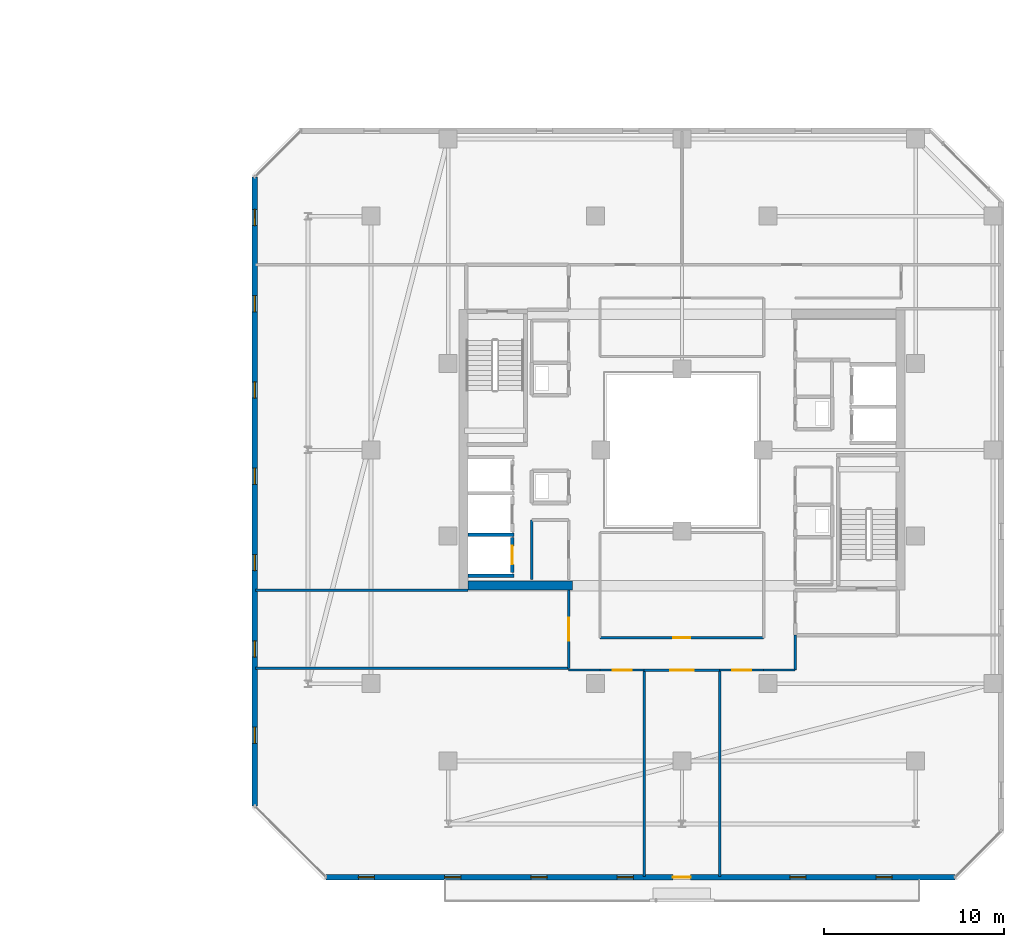
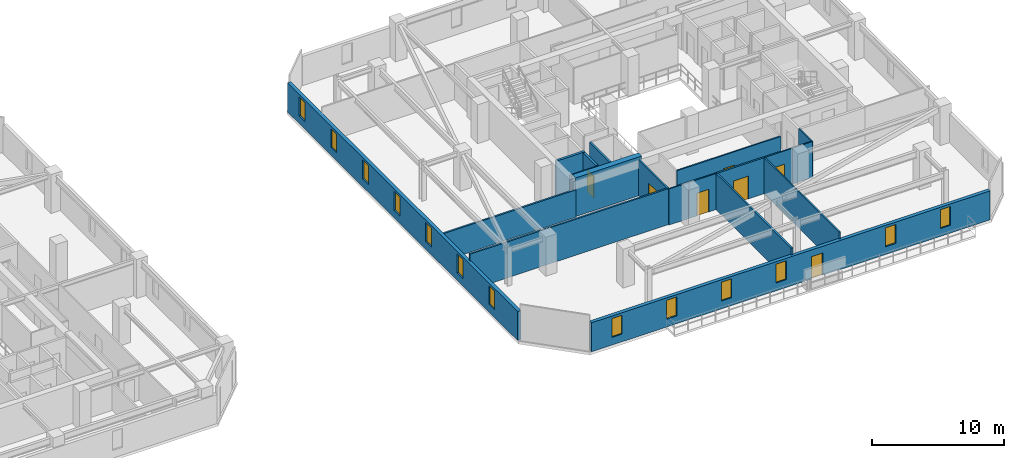
# One storey, part 23 of 33: 19 walls, 13 windows, 7 doors, 20 openings.
"""IFC4 building model written with IfcOpenShell, lengths in metres."""

from ifc_helpers import new_model, si_unit, direction, frame, frame_2d, origin, place, context, subcontext, project, spatial, rectangle, extrude, material, layer, layer_set, type_object, element, fill, save


model = new_model("IFC4")

# Units and contexts
model_context = context("Model", 3, precision=1e-05, world=origin(), true_north=direction((0.0, 1.0)))
body_context = subcontext(model_context, "Body", "Model", "MODEL_VIEW")
ifc_project = project(units=[si_unit("LENGTHUNIT", "METRE"), si_unit("AREAUNIT", "SQUARE_METRE"), si_unit("VOLUMEUNIT", "CUBIC_METRE"), si_unit("PLANEANGLEUNIT", "RADIAN"), si_unit("MASSUNIT", "GRAM", prefix="KILO")], contexts=[model_context])

# Site, building, storey
site_placement = place(None, origin())
site = spatial("IfcSite", under=ifc_project, at=site_placement, CompositionType="ELEMENT")
building_placement = place(site_placement, origin())
building = spatial("IfcBuilding", under=site, at=building_placement, Name="Thornwick Lancets Civic Towers", CompositionType="ELEMENT")
storey_placement = place(building_placement, frame((0.0, 0.0, 203.699951171875)))
storey = spatial("IfcBuildingStorey", under=building, at=storey_placement, Name="L54", CompositionType="ELEMENT", Elevation=203.699951171875)

# Wall, opening, door
ifc_material_1 = material(Name="Concrete blockwork C40/50", Category="masonry")
ifc_layer_1 = layer(ifc_material_1, 0.199951171875, Name="Concrete blockwork C40/50")
ifc_layer_set_1 = layer_set([ifc_layer_1], Name="Concrete blockwork C40/50")
wall_type_1 = type_object("IfcWallType", Name="WALL_COMP_200", PredefinedType="STANDARD", material=ifc_layer_set_1)
wall_1_placement = place(storey_placement, frame((79.050048828125, 20.179931640625, 0.0), z_axis=(0.0, 0.0, 1.0), x_axis=(0.0, 1.0, 0.0)))
wall_1 = element("IfcWall", 1, at=wall_1_placement, inside=storey, type_object=wall_type_1, Name="L54 Hoistway Front Wall PL-BH3", PredefinedType="STANDARD", context=body_context, shape_type="SweptSolid", body=[
    extrude(rectangle(XDim=1.940185546875, YDim=0.199951171875, at=frame_2d((0.97021484375, 0.0))), origin(), (0.0, 0.0, 1.0), 3.340087890625),
])
opening_1_placement = place(wall_1_placement, frame((0.4599609375, 0.0, 0.0)))
opening_1 = element("IfcOpeningElement", 2, at=opening_1_placement, cuts=wall_1, Name="Opening LD-PL-BH3", PredefinedType="OPENING", context=body_context, shape_type="SweptSolid", body=[
    extrude(rectangle(XDim=1.02001953125, YDim=2.06005859375, at=frame_2d((0.510009765625, 1.030029296875))), frame((0.0, 0.10986328125, 0.0), z_axis=(0.0, -1.0, 0.0), x_axis=(1.0, 0.0, 0.0)), (0.0, 0.0, 1.0), 0.219970703125),
])
ifc_material_2 = material(Name="Brushed bronze stainless steel", Category="steel")
door_type_1 = type_object("IfcDoorType", Name="DOOR_LIFT_SLIDE", OperationType="SLIDING_TO_LEFT", PredefinedType="DOOR", material=ifc_material_2)
door_1_placement = place(opening_1_placement, origin())
door_1 = element("IfcDoor", 3, at=door_1_placement, inside=storey, type_object=door_type_1, Name="L54 Sliding Lift Landing Door LD-PL-BH3", OperationType="SLIDING_TO_LEFT", OverallHeight=2.06005859375, OverallWidth=1.02001953125, PredefinedType="DOOR", context=body_context, shape_type="SweptSolid", body=[
    extrude(rectangle(XDim=1.02001953125, YDim=2.06005859375, at=frame_2d((0.510009765625, 1.030029296875))), frame((0.0, 0.02490234375, 0.0), z_axis=(0.0, -1.0, 0.0), x_axis=(1.0, 0.0, 0.0)), (0.0, 0.0, 1.0), 0.050048828125),
])
fill(opening_1, door_1)

# Walls
for number, where, z_axis, x_axis, name in (
    (4, (76.612060546875, 22.27490234375, 0.0), (0.0, 0.0, 1.0), (1.0, 0.0, 0.0), "L54 Hoistway Shaft Wall PL-BH2 S"),
    (5, (76.612060546875, 20.0, 0.0), (0.0, 0.0, 1.0), (1.0, 0.0, 0.0), "L54 Hoistway Shaft Wall PL-BH3 S"),
):
    element("IfcWall", number, at=place(storey_placement, frame(where, z_axis=z_axis, x_axis=x_axis)), inside=storey, type_object=wall_type_1, Name=name, PredefinedType="STANDARD", context=body_context, shape_type="SweptSolid", body=[
        extrude(rectangle(XDim=2.535888671875, YDim=0.199951171875, at=frame_2d((1.26806640625, 0.0))), origin(), (0.0, 0.0, 1.0), 3.340087890625),
    ])
ifc_material_3 = material(Name="Concrete C50/60", Category="concrete")
ifc_layer_2 = layer(ifc_material_3, 0.5, Name="Concrete C50/60")
ifc_layer_set_2 = layer_set([ifc_layer_2], Name="Concrete C50/60")
wall_type_2 = type_object("IfcWallType", Name="WALL_CORE_500", PredefinedType="SHEAR", material=ifc_layer_set_2)
wall_2_placement = place(storey_placement, frame((76.60009765625, 19.449951171875, 0.0), z_axis=(0.0, 0.0, 1.0), x_axis=(1.0, 0.0, 0.0)))
element("IfcWall", 6, at=wall_2_placement, inside=storey, type_object=wall_type_2, Name="L54 Split Core B2 Shear Wall S", PredefinedType="SHEAR", context=body_context, shape_type="SweptSolid", body=[
    extrude(rectangle(XDim=5.7998046875, YDim=0.5, at=frame_2d((2.89990234375, 0.0))), origin(), (0.0, 0.0, 1.0), 3.60009765625),
])

# Wall, openings, door, windows
ifc_material_4 = material(Name="Insulated russet terracotta rainscreen on concrete C40/50", Category="masonry")
ifc_layer_3 = layer(ifc_material_4, 0.300048828125, Name="Insulated russet terracotta rainscreen on concrete C40/50")
ifc_layer_set_3 = layer_set([ifc_layer_3], Name="Insulated russet terracotta rainscreen on concrete C40/50")
wall_type_3 = type_object("IfcWallType", Name="WALL_EXT_RUSSET_300", PredefinedType="STANDARD", material=ifc_layer_set_3)
wall_3_placement = place(storey_placement, frame((68.6982421875, 3.239990234375, 0.0), z_axis=(0.0, 0.0, 1.0), x_axis=(0.999999991209, -0.000132597301, 0.0)))
wall_3 = element("IfcWall", 7, at=wall_3_placement, inside=storey, type_object=wall_type_3, Name="L54 Tower B Terracotta Facade Wall E0", PredefinedType="STANDARD", context=body_context, shape_type="SweptSolid", body=[
    extrude(rectangle(XDim=34.983154296875, YDim=0.300048828125, at=frame_2d((17.49169921875, 0.0))), origin(), (0.0, 0.0, 1.0), 2.699951171875),
])
opening_2_placement = place(wall_3_placement, frame((19.29150390625, 0.0, 0.0)))
opening_2 = element("IfcOpeningElement", 8, at=opening_2_placement, cuts=wall_3, Name="Opening D-BL-L54-BS", PredefinedType="OPENING", context=body_context, shape_type="SweptSolid", body=[
    extrude(rectangle(XDim=1.0, YDim=2.080078125, at=frame_2d((0.5, 1.0400390625))), frame((0.0, 0.16015625, 0.0), z_axis=(0.0, -1.0, 0.0), x_axis=(1.0, 0.0, 0.0)), (0.0, 0.0, 1.0), 0.320068359375),
])
opening_3_placement = place(wall_3_placement, frame((1.800048828125, 0.0, 0.719970703125)))
opening_3 = element("IfcOpeningElement", 9, at=opening_3_placement, cuts=wall_3, Name="Opening WL-01", PredefinedType="OPENING", context=body_context, shape_type="SweptSolid", body=[
    extrude(rectangle(XDim=0.89990234375, YDim=1.75, at=frame_2d((0.449951171875, 0.875))), frame((0.0, 0.16015625, 0.0), z_axis=(0.0, -1.0, 0.0), x_axis=(1.0, 0.0, 0.0)), (0.0, 0.0, 1.0), 0.320068359375),
])
opening_4_placement = place(wall_3_placement, frame((6.60009765625, 0.0, 0.719970703125)))
opening_4 = element("IfcOpeningElement", 10, at=opening_4_placement, cuts=wall_3, Name="Opening WL-01", PredefinedType="OPENING", context=body_context, shape_type="SweptSolid", body=[
    extrude(rectangle(XDim=0.89990234375, YDim=1.75, at=frame_2d((0.449951171875, 0.875))), frame((0.0, 0.16015625, 0.0), z_axis=(0.0, -1.0, 0.0), x_axis=(1.0, 0.0, 0.0)), (0.0, 0.0, 1.0), 0.320068359375),
])
opening_5_placement = place(wall_3_placement, frame((11.39990234375, 0.0, 0.719970703125)))
opening_5 = element("IfcOpeningElement", 11, at=opening_5_placement, cuts=wall_3, Name="Opening WL-01", PredefinedType="OPENING", context=body_context, shape_type="SweptSolid", body=[
    extrude(rectangle(XDim=0.89990234375, YDim=1.75, at=frame_2d((0.449951171875, 0.875))), frame((0.0, 0.16015625, 0.0), z_axis=(0.0, -1.0, 0.0), x_axis=(1.0, 0.0, 0.0)), (0.0, 0.0, 1.0), 0.320068359375),
])
opening_6_placement = place(wall_3_placement, frame((16.199951171875, 0.0, 0.719970703125)))
opening_6 = element("IfcOpeningElement", 12, at=opening_6_placement, cuts=wall_3, Name="Opening WL-01", PredefinedType="OPENING", context=body_context, shape_type="SweptSolid", body=[
    extrude(rectangle(XDim=0.89990234375, YDim=1.75, at=frame_2d((0.449951171875, 0.875))), frame((0.0, 0.16015625, 0.0), z_axis=(0.0, -1.0, 0.0), x_axis=(1.0, 0.0, 0.0)), (0.0, 0.0, 1.0), 0.320068359375),
])
opening_7_placement = place(wall_3_placement, frame((25.800048828125, 0.0, 0.719970703125)))
opening_7 = element("IfcOpeningElement", 13, at=opening_7_placement, cuts=wall_3, Name="Opening WL-01", PredefinedType="OPENING", context=body_context, shape_type="SweptSolid", body=[
    extrude(rectangle(XDim=0.89990234375, YDim=1.75, at=frame_2d((0.449951171875, 0.875))), frame((0.0, 0.16015625, 0.0), z_axis=(0.0, -1.0, 0.0), x_axis=(1.0, 0.0, 0.0)), (0.0, 0.0, 1.0), 0.320068359375),
])
opening_8_placement = place(wall_3_placement, frame((30.60009765625, 0.0, 0.719970703125)))
opening_8 = element("IfcOpeningElement", 14, at=opening_8_placement, cuts=wall_3, Name="Opening WL-01", PredefinedType="OPENING", context=body_context, shape_type="SweptSolid", body=[
    extrude(rectangle(XDim=0.89990234375, YDim=1.75, at=frame_2d((0.449951171875, 0.875))), frame((0.0, 0.16015625, 0.0), z_axis=(0.0, -1.0, 0.0), x_axis=(1.0, 0.0, 0.0)), (0.0, 0.0, 1.0), 0.320068359375),
])
ifc_material_5 = material(Name="Thermally broken glazed loggia doorset")
door_type_2 = type_object("IfcDoorType", Name="DOOR_BALC_1000", OperationType="NOTDEFINED", PredefinedType="DOOR", material=ifc_material_5)
door_2_placement = place(opening_2_placement, origin())
door_2 = element("IfcDoor", 15, at=door_2_placement, inside=storey, type_object=door_type_2, Name="L54 Tower B Loggia Balcony Door S", OperationType="SINGLE_SWING_LEFT", OverallHeight=2.080078125, OverallWidth=1.0, PredefinedType="DOOR", context=body_context, shape_type="SweptSolid", body=[
    extrude(rectangle(XDim=1.0, YDim=2.080078125, at=frame_2d((0.5, 1.0400390625))), frame((0.0, 0.02490234375, 0.0), z_axis=(0.0, -1.0, 0.0), x_axis=(1.0, 0.0, 0.0)), (0.0, 0.0, 1.0), 0.050048828125),
])
fill(opening_2, door_2)
ifc_material_6 = material(Name="Clear low-e double glazing in bronze frame", Category="glass")
window_type = type_object("IfcWindowType", Name="WIN_LANCET_900", PartitioningType="SINGLE_PANEL", PredefinedType="WINDOW", material=ifc_material_6)
window_1_placement = place(opening_3_placement, origin())
window_1 = element("IfcWindow", 16, at=window_1_placement, inside=storey, type_object=window_type, Name="L54 Tower B Staggered Lancet Window E0-1", OverallHeight=1.75, OverallWidth=0.89990234375, PartitioningType="SINGLE_PANEL", PredefinedType="WINDOW", context=body_context, shape_type="SweptSolid", body=[
    extrude(rectangle(XDim=0.89990234375, YDim=1.75, at=frame_2d((0.449951171875, 0.875))), frame((0.0, 0.030029296875, 0.0), z_axis=(0.0, -1.0, 0.0), x_axis=(1.0, 0.0, 0.0)), (0.0, 0.0, 1.0), 0.06005859375),
])
fill(opening_3, window_1)
window_2_placement = place(opening_4_placement, origin())
window_2 = element("IfcWindow", 17, at=window_2_placement, inside=storey, type_object=window_type, Name="L54 Tower B Staggered Lancet Window E0-2", OverallHeight=1.75, OverallWidth=0.89990234375, PartitioningType="SINGLE_PANEL", PredefinedType="WINDOW", context=body_context, shape_type="SweptSolid", body=[
    extrude(rectangle(XDim=0.89990234375, YDim=1.75, at=frame_2d((0.449951171875, 0.875))), frame((0.0, 0.030029296875, 0.0), z_axis=(0.0, -1.0, 0.0), x_axis=(1.0, 0.0, 0.0)), (0.0, 0.0, 1.0), 0.06005859375),
])
fill(opening_4, window_2)
window_3_placement = place(opening_5_placement, origin())
window_3 = element("IfcWindow", 18, at=window_3_placement, inside=storey, type_object=window_type, Name="L54 Tower B Staggered Lancet Window E0-3", OverallHeight=1.75, OverallWidth=0.89990234375, PartitioningType="SINGLE_PANEL", PredefinedType="WINDOW", context=body_context, shape_type="SweptSolid", body=[
    extrude(rectangle(XDim=0.89990234375, YDim=1.75, at=frame_2d((0.449951171875, 0.875))), frame((0.0, 0.030029296875, 0.0), z_axis=(0.0, -1.0, 0.0), x_axis=(1.0, 0.0, 0.0)), (0.0, 0.0, 1.0), 0.06005859375),
])
fill(opening_5, window_3)
window_4_placement = place(opening_6_placement, origin())
window_4 = element("IfcWindow", 19, at=window_4_placement, inside=storey, type_object=window_type, Name="L54 Tower B Staggered Lancet Window E0-4", OverallHeight=1.75, OverallWidth=0.89990234375, PartitioningType="SINGLE_PANEL", PredefinedType="WINDOW", context=body_context, shape_type="SweptSolid", body=[
    extrude(rectangle(XDim=0.89990234375, YDim=1.75, at=frame_2d((0.449951171875, 0.875))), frame((0.0, 0.030029296875, 0.0), z_axis=(0.0, -1.0, 0.0), x_axis=(1.0, 0.0, 0.0)), (0.0, 0.0, 1.0), 0.06005859375),
])
fill(opening_6, window_4)
window_5_placement = place(opening_7_placement, origin())
window_5 = element("IfcWindow", 20, at=window_5_placement, inside=storey, type_object=window_type, Name="L54 Tower B Staggered Lancet Window E0-5", OverallHeight=1.75, OverallWidth=0.89990234375, PartitioningType="SINGLE_PANEL", PredefinedType="WINDOW", context=body_context, shape_type="SweptSolid", body=[
    extrude(rectangle(XDim=0.89990234375, YDim=1.75, at=frame_2d((0.449951171875, 0.875))), frame((0.0, 0.030029296875, 0.0), z_axis=(0.0, -1.0, 0.0), x_axis=(1.0, 0.0, 0.0)), (0.0, 0.0, 1.0), 0.06005859375),
])
fill(opening_7, window_5)
window_6_placement = place(opening_8_placement, origin())
window_6 = element("IfcWindow", 21, at=window_6_placement, inside=storey, type_object=window_type, Name="L54 Tower B Staggered Lancet Window E0-6", OverallHeight=1.75, OverallWidth=0.89990234375, PartitioningType="SINGLE_PANEL", PredefinedType="WINDOW", context=body_context, shape_type="SweptSolid", body=[
    extrude(rectangle(XDim=0.89990234375, YDim=1.75, at=frame_2d((0.449951171875, 0.875))), frame((0.0, 0.030029296875, 0.0), z_axis=(0.0, -1.0, 0.0), x_axis=(1.0, 0.0, 0.0)), (0.0, 0.0, 1.0), 0.06005859375),
])
fill(opening_8, window_6)

# Wall, openings, windows
wall_4_placement = place(storey_placement, frame((64.7353515625, 42.181396484375, 0.0), z_axis=(0.0, 0.0, 1.0), x_axis=(0.000132597301, -0.999999991209, 0.0)))
wall_4 = element("IfcWall", 22, at=wall_4_placement, inside=storey, type_object=wall_type_3, Name="L54 Tower B Terracotta Facade Wall E6", PredefinedType="STANDARD", context=body_context, shape_type="SweptSolid", body=[
    extrude(rectangle(XDim=34.983154296875, YDim=0.300048828125, at=frame_2d((17.49169921875, 0.0))), origin(), (0.0, 0.0, 1.0), 2.699951171875),
])
opening_9_placement = place(wall_4_placement, frame((1.800048828125, 0.0, 0.719970703125)))
opening_9 = element("IfcOpeningElement", 23, at=opening_9_placement, cuts=wall_4, Name="Opening WL-01", PredefinedType="OPENING", context=body_context, shape_type="SweptSolid", body=[
    extrude(rectangle(XDim=0.89990234375, YDim=1.75, at=frame_2d((0.449951171875, 0.875))), frame((0.0, 0.16015625, 0.0), z_axis=(0.0, -1.0, 0.0), x_axis=(1.0, 0.0, 0.0)), (0.0, 0.0, 1.0), 0.320068359375),
])
opening_10_placement = place(wall_4_placement, frame((6.60009765625, 0.0, 0.719970703125)))
opening_10 = element("IfcOpeningElement", 24, at=opening_10_placement, cuts=wall_4, Name="Opening WL-01", PredefinedType="OPENING", context=body_context, shape_type="SweptSolid", body=[
    extrude(rectangle(XDim=0.89990234375, YDim=1.75, at=frame_2d((0.449951171875, 0.875))), frame((0.0, 0.16015625, 0.0), z_axis=(0.0, -1.0, 0.0), x_axis=(1.0, 0.0, 0.0)), (0.0, 0.0, 1.0), 0.320068359375),
])
opening_11_placement = place(wall_4_placement, frame((11.39990234375, 0.0, 0.719970703125)))
opening_11 = element("IfcOpeningElement", 25, at=opening_11_placement, cuts=wall_4, Name="Opening WL-01", PredefinedType="OPENING", context=body_context, shape_type="SweptSolid", body=[
    extrude(rectangle(XDim=0.89990234375, YDim=1.75, at=frame_2d((0.449951171875, 0.875))), frame((0.0, 0.16015625, 0.0), z_axis=(0.0, -1.0, 0.0), x_axis=(1.0, 0.0, 0.0)), (0.0, 0.0, 1.0), 0.320068359375),
])
opening_12_placement = place(wall_4_placement, frame((16.199951171875, 0.0, 0.719970703125)))
opening_12 = element("IfcOpeningElement", 26, at=opening_12_placement, cuts=wall_4, Name="Opening WL-01", PredefinedType="OPENING", context=body_context, shape_type="SweptSolid", body=[
    extrude(rectangle(XDim=0.89990234375, YDim=1.75, at=frame_2d((0.449951171875, 0.875))), frame((0.0, 0.16015625, 0.0), z_axis=(0.0, -1.0, 0.0), x_axis=(1.0, 0.0, 0.0)), (0.0, 0.0, 1.0), 0.320068359375),
])
opening_13_placement = place(wall_4_placement, frame((21.0, 0.0, 0.719970703125)))
opening_13 = element("IfcOpeningElement", 27, at=opening_13_placement, cuts=wall_4, Name="Opening WL-01", PredefinedType="OPENING", context=body_context, shape_type="SweptSolid", body=[
    extrude(rectangle(XDim=0.89990234375, YDim=1.75, at=frame_2d((0.449951171875, 0.875))), frame((0.0, 0.16015625, 0.0), z_axis=(0.0, -1.0, 0.0), x_axis=(1.0, 0.0, 0.0)), (0.0, 0.0, 1.0), 0.320068359375),
])
opening_14_placement = place(wall_4_placement, frame((25.800048828125, 0.0, 0.719970703125)))
opening_14 = element("IfcOpeningElement", 28, at=opening_14_placement, cuts=wall_4, Name="Opening WL-01", PredefinedType="OPENING", context=body_context, shape_type="SweptSolid", body=[
    extrude(rectangle(XDim=0.89990234375, YDim=1.75, at=frame_2d((0.449951171875, 0.875))), frame((0.0, 0.16015625, 0.0), z_axis=(0.0, -1.0, 0.0), x_axis=(1.0, 0.0, 0.0)), (0.0, 0.0, 1.0), 0.320068359375),
])
opening_15_placement = place(wall_4_placement, frame((30.60009765625, 0.0, 0.719970703125)))
opening_15 = element("IfcOpeningElement", 29, at=opening_15_placement, cuts=wall_4, Name="Opening WL-01", PredefinedType="OPENING", context=body_context, shape_type="SweptSolid", body=[
    extrude(rectangle(XDim=0.89990234375, YDim=1.75, at=frame_2d((0.449951171875, 0.875))), frame((0.0, 0.16015625, 0.0), z_axis=(0.0, -1.0, 0.0), x_axis=(1.0, 0.0, 0.0)), (0.0, 0.0, 1.0), 0.320068359375),
])
window_7_placement = place(opening_9_placement, origin())
window_7 = element("IfcWindow", 30, at=window_7_placement, inside=storey, type_object=window_type, Name="L54 Tower B Staggered Lancet Window E6-1", OverallHeight=1.75, OverallWidth=0.89990234375, PartitioningType="SINGLE_PANEL", PredefinedType="WINDOW", context=body_context, shape_type="SweptSolid", body=[
    extrude(rectangle(XDim=0.89990234375, YDim=1.75, at=frame_2d((0.449951171875, 0.875))), frame((0.0, 0.030029296875, 0.0), z_axis=(0.0, -1.0, 0.0), x_axis=(1.0, 0.0, 0.0)), (0.0, 0.0, 1.0), 0.06005859375),
])
fill(opening_9, window_7)
window_8_placement = place(opening_10_placement, origin())
window_8 = element("IfcWindow", 31, at=window_8_placement, inside=storey, type_object=window_type, Name="L54 Tower B Staggered Lancet Window E6-2", OverallHeight=1.75, OverallWidth=0.89990234375, PartitioningType="SINGLE_PANEL", PredefinedType="WINDOW", context=body_context, shape_type="SweptSolid", body=[
    extrude(rectangle(XDim=0.89990234375, YDim=1.75, at=frame_2d((0.449951171875, 0.875))), frame((0.0, 0.030029296875, 0.0), z_axis=(0.0, -1.0, 0.0), x_axis=(1.0, 0.0, 0.0)), (0.0, 0.0, 1.0), 0.06005859375),
])
fill(opening_10, window_8)
window_9_placement = place(opening_11_placement, origin())
window_9 = element("IfcWindow", 32, at=window_9_placement, inside=storey, type_object=window_type, Name="L54 Tower B Staggered Lancet Window E6-3", OverallHeight=1.75, OverallWidth=0.89990234375, PartitioningType="SINGLE_PANEL", PredefinedType="WINDOW", context=body_context, shape_type="SweptSolid", body=[
    extrude(rectangle(XDim=0.89990234375, YDim=1.75, at=frame_2d((0.449951171875, 0.875))), frame((0.0, 0.030029296875, 0.0), z_axis=(0.0, -1.0, 0.0), x_axis=(1.0, 0.0, 0.0)), (0.0, 0.0, 1.0), 0.06005859375),
])
fill(opening_11, window_9)
window_10_placement = place(opening_12_placement, origin())
window_10 = element("IfcWindow", 33, at=window_10_placement, inside=storey, type_object=window_type, Name="L54 Tower B Staggered Lancet Window E6-4", OverallHeight=1.75, OverallWidth=0.89990234375, PartitioningType="SINGLE_PANEL", PredefinedType="WINDOW", context=body_context, shape_type="SweptSolid", body=[
    extrude(rectangle(XDim=0.89990234375, YDim=1.75, at=frame_2d((0.449951171875, 0.875))), frame((0.0, 0.030029296875, 0.0), z_axis=(0.0, -1.0, 0.0), x_axis=(1.0, 0.0, 0.0)), (0.0, 0.0, 1.0), 0.06005859375),
])
fill(opening_12, window_10)
window_11_placement = place(opening_13_placement, origin())
window_11 = element("IfcWindow", 34, at=window_11_placement, inside=storey, type_object=window_type, Name="L54 Tower B Staggered Lancet Window E6-5", OverallHeight=1.75, OverallWidth=0.89990234375, PartitioningType="SINGLE_PANEL", PredefinedType="WINDOW", context=body_context, shape_type="SweptSolid", body=[
    extrude(rectangle(XDim=0.89990234375, YDim=1.75, at=frame_2d((0.449951171875, 0.875))), frame((0.0, 0.030029296875, 0.0), z_axis=(0.0, -1.0, 0.0), x_axis=(1.0, 0.0, 0.0)), (0.0, 0.0, 1.0), 0.06005859375),
])
fill(opening_13, window_11)
window_12_placement = place(opening_14_placement, origin())
window_12 = element("IfcWindow", 35, at=window_12_placement, inside=storey, type_object=window_type, Name="L54 Tower B Staggered Lancet Window E6-6", OverallHeight=1.75, OverallWidth=0.89990234375, PartitioningType="SINGLE_PANEL", PredefinedType="WINDOW", context=body_context, shape_type="SweptSolid", body=[
    extrude(rectangle(XDim=0.89990234375, YDim=1.75, at=frame_2d((0.449951171875, 0.875))), frame((0.0, 0.030029296875, 0.0), z_axis=(0.0, -1.0, 0.0), x_axis=(1.0, 0.0, 0.0)), (0.0, 0.0, 1.0), 0.06005859375),
])
fill(opening_14, window_12)
window_13_placement = place(opening_15_placement, origin())
window_13 = element("IfcWindow", 36, at=window_13_placement, inside=storey, type_object=window_type, Name="L54 Tower B Staggered Lancet Window E6-7", OverallHeight=1.75, OverallWidth=0.89990234375, PartitioningType="SINGLE_PANEL", PredefinedType="WINDOW", context=body_context, shape_type="SweptSolid", body=[
    extrude(rectangle(XDim=0.89990234375, YDim=1.75, at=frame_2d((0.449951171875, 0.875))), frame((0.0, 0.030029296875, 0.0), z_axis=(0.0, -1.0, 0.0), x_axis=(1.0, 0.0, 0.0)), (0.0, 0.0, 1.0), 0.06005859375),
])
fill(opening_15, window_13)

# Wall
ifc_material_7 = material(Name="Acoustic gypsum board partition")
ifc_layer_4 = layer(ifc_material_7, 0.1201171875, Name="Acoustic gypsum board partition")
ifc_layer_set_4 = layer_set([ifc_layer_4], Name="Acoustic gypsum board partition")
wall_type_4 = type_object("IfcWallType", Name="WALL_PART_120", PredefinedType="PARTITIONING", material=ifc_layer_set_4)
wall_5_placement = place(storey_placement, frame((90.60009765625, 3.280029296875, 0.0), z_axis=(0.0, 0.0, 1.0), x_axis=(0.0, 1.0, 0.0)))
element("IfcWall", 37, at=wall_5_placement, inside=storey, type_object=wall_type_4, Name="L54 Partition L54-B-W1 E2", PredefinedType="PARTITIONING", context=body_context, shape_type="SweptSolid", body=[
    extrude(rectangle(XDim=11.469970703125, YDim=0.1201171875, at=frame_2d((5.73486328125, 0.0))), origin(), (0.0, 0.0, 1.0), 3.340087890625),
])

# Wall, opening, door
wall_6_placement = place(storey_placement, frame((90.60009765625, 14.75, 0.0), z_axis=(0.0, 0.0, 1.0), x_axis=(1.0, 0.0, 0.0)))
wall_6 = element("IfcWall", 38, at=wall_6_placement, inside=storey, type_object=wall_type_4, Name="L54 Partition L54-B-W1 E3", PredefinedType="PARTITIONING", context=body_context, shape_type="SweptSolid", body=[
    extrude(rectangle(XDim=2.449951171875, YDim=0.1201171875, at=frame_2d((1.22509765625, 0.0))), origin(), (0.0, 0.0, 1.0), 3.340087890625),
])
opening_16_placement = place(wall_6_placement, frame((0.699951171875, 0.0, 0.0)))
opening_16 = element("IfcOpeningElement", 39, at=opening_16_placement, cuts=wall_6, Name="Opening D-L54-2422", PredefinedType="OPENING", context=body_context, shape_type="SweptSolid", body=[
    extrude(rectangle(XDim=1.050048828125, YDim=2.10009765625, at=frame_2d((0.52490234375, 1.050048828125))), frame((0.0, 0.070068359375, 0.0), z_axis=(0.0, -1.0, 0.0), x_axis=(1.0, 0.0, 0.0)), (0.0, 0.0, 1.0), 0.14013671875),
])
ifc_material_8 = material(Name="Glazed European oak executive doorset")
door_type_3 = type_object("IfcDoorType", Name="DOOR_OFFICE_1050", OperationType="NOTDEFINED", PredefinedType="DOOR", material=ifc_material_8)
door_3_placement = place(opening_16_placement, origin())
door_3 = element("IfcDoor", 40, at=door_3_placement, inside=storey, type_object=door_type_3, Name="L54 Tower B Ministry Directorate Office W1 Door", OperationType="SINGLE_SWING_LEFT", OverallHeight=2.10009765625, OverallWidth=1.050048828125, PredefinedType="DOOR", context=body_context, shape_type="SweptSolid", body=[
    extrude(rectangle(XDim=1.050048828125, YDim=2.10009765625, at=frame_2d((0.52490234375, 1.050048828125))), frame((0.0, 0.02490234375, 0.0), z_axis=(0.0, -1.0, 0.0), x_axis=(1.0, 0.0, 0.0)), (0.0, 0.0, 1.0), 0.050048828125),
])
fill(opening_16, door_3)

# Walls
wall_7_placement = place(storey_placement, frame((93.050048828125, 14.75, 0.0), z_axis=(0.0, 0.0, 1.0), x_axis=(1.0, 0.0, 0.0)))
element("IfcWall", 41, at=wall_7_placement, inside=storey, type_object=wall_type_4, Name="L54 Partition L54-B-W1 E4", PredefinedType="PARTITIONING", context=body_context, shape_type="SweptSolid", body=[
    extrude(rectangle(XDim=1.75, YDim=0.1201171875, at=frame_2d((0.875, 0.0))), origin(), (0.0, 0.0, 1.0), 3.340087890625),
])
wall_8_placement = place(storey_placement, frame((94.800048828125, 14.75, 0.0), z_axis=(0.0, 0.0, 1.0), x_axis=(0.0, 1.0, 0.0)))
element("IfcWall", 42, at=wall_8_placement, inside=storey, type_object=wall_type_4, Name="L54 Partition L54-B-W1 E5", PredefinedType="PARTITIONING", context=body_context, shape_type="SweptSolid", body=[
    extrude(rectangle(XDim=1.949951171875, YDim=0.1201171875, at=frame_2d((0.97509765625, 0.0))), origin(), (0.0, 0.0, 1.0), 3.340087890625),
])
wall_9_placement = place(storey_placement, frame((82.199951171875, 14.75, 0.0), z_axis=(0.0, 0.0, 1.0), x_axis=(1.0, 0.0, 0.0)))
element("IfcWall", 43, at=wall_9_placement, inside=storey, type_object=wall_type_4, Name="L54 Partition L54-B-W2B E5", PredefinedType="PARTITIONING", context=body_context, shape_type="SweptSolid", body=[
    extrude(rectangle(XDim=1.75, YDim=0.1201171875, at=frame_2d((0.875, 0.0))), origin(), (0.0, 0.0, 1.0), 3.340087890625),
])

# Wall, opening, door
wall_10_placement = place(storey_placement, frame((83.949951171875, 14.75, 0.0), z_axis=(0.0, 0.0, 1.0), x_axis=(1.0, 0.0, 0.0)))
wall_10 = element("IfcWall", 44, at=wall_10_placement, inside=storey, type_object=wall_type_4, Name="L54 Partition L54-B-W2B E6", PredefinedType="PARTITIONING", context=body_context, shape_type="SweptSolid", body=[
    extrude(rectangle(XDim=2.449951171875, YDim=0.1201171875, at=frame_2d((1.22509765625, 0.0))), origin(), (0.0, 0.0, 1.0), 3.340087890625),
])
opening_17_placement = place(wall_10_placement, frame((0.699951171875, 0.0, 0.0)))
opening_17 = element("IfcOpeningElement", 45, at=opening_17_placement, cuts=wall_10, Name="Opening D-L54-2424", PredefinedType="OPENING", context=body_context, shape_type="SweptSolid", body=[
    extrude(rectangle(XDim=1.050048828125, YDim=2.10009765625, at=frame_2d((0.52490234375, 1.050048828125))), frame((0.0, 0.070068359375, 0.0), z_axis=(0.0, -1.0, 0.0), x_axis=(1.0, 0.0, 0.0)), (0.0, 0.0, 1.0), 0.14013671875),
])
door_4_placement = place(opening_17_placement, origin())
door_4 = element("IfcDoor", 46, at=door_4_placement, inside=storey, type_object=door_type_3, Name="L54 Tower B Parliamentary Casework Suite W2B Door", OperationType="SINGLE_SWING_LEFT", OverallHeight=2.10009765625, OverallWidth=1.050048828125, PredefinedType="DOOR", context=body_context, shape_type="SweptSolid", body=[
    extrude(rectangle(XDim=1.050048828125, YDim=2.10009765625, at=frame_2d((0.52490234375, 1.050048828125))), frame((0.0, 0.02490234375, 0.0), z_axis=(0.0, -1.0, 0.0), x_axis=(1.0, 0.0, 0.0)), (0.0, 0.0, 1.0), 0.050048828125),
])
fill(opening_17, door_4)

wall_11_placement = place(storey_placement, frame((93.050048828125, 16.550048828125, 0.0), z_axis=(0.0, 0.0, 1.0), x_axis=(-1.0, 0.0, 0.0)))
wall_11 = element("IfcWall", 47, at=wall_11_placement, inside=storey, type_object=wall_type_4, Name="L54 Partition L54-B-W3 E4", PredefinedType="PARTITIONING", context=body_context, shape_type="SweptSolid", body=[
    extrude(rectangle(XDim=9.10009765625, YDim=0.1201171875, at=frame_2d((4.550048828125, 0.0))), origin(), (0.0, 0.0, 1.0), 3.340087890625),
])
opening_18_placement = place(wall_11_placement, frame((4.074951171875, 0.0, 0.0)))
opening_18 = element("IfcOpeningElement", 48, at=opening_18_placement, cuts=wall_11, Name="Opening D-L54-2425", PredefinedType="OPENING", context=body_context, shape_type="SweptSolid", body=[
    extrude(rectangle(XDim=0.949951171875, YDim=2.10009765625, at=frame_2d((0.47509765625, 1.050048828125))), frame((0.0, 0.070068359375, 0.0), z_axis=(0.0, -1.0, 0.0), x_axis=(1.0, 0.0, 0.0)), (0.0, 0.0, 1.0), 0.14013671875),
])
ifc_material_9 = material(Name="European oak acoustic doorset")
door_type_4 = type_object("IfcDoorType", Name="DOOR_OFFICE_950", OperationType="NOTDEFINED", PredefinedType="DOOR", material=ifc_material_9)
door_5_placement = place(opening_18_placement, origin())
door_5 = element("IfcDoor", 49, at=door_5_placement, inside=storey, type_object=door_type_4, Name="L54 Tower B West Atrium Gallery Suite Door", OperationType="SINGLE_SWING_RIGHT", OverallHeight=2.10009765625, OverallWidth=0.949951171875, PredefinedType="DOOR", context=body_context, shape_type="SweptSolid", body=[
    extrude(rectangle(XDim=0.949951171875, YDim=2.10009765625, at=frame_2d((0.47509765625, 1.050048828125))), frame((0.0, 0.02490234375, 0.0), z_axis=(0.0, -1.0, 0.0), x_axis=(1.0, 0.0, 0.0)), (0.0, 0.0, 1.0), 0.050048828125),
])
fill(opening_18, door_5)

# Walls
ifc_material_10 = material(Name="Twin-stud acoustic gypsum board")
ifc_layer_5 = layer(ifc_material_10, 0.14990234375, Name="Twin-stud acoustic gypsum board")
ifc_layer_set_5 = layer_set([ifc_layer_5], Name="Twin-stud acoustic gypsum board")
wall_type_5 = type_object("IfcWallType", Name="WALL_PART_150", PredefinedType="PARTITIONING", material=ifc_layer_set_5)
wall_12_placement = place(storey_placement, frame((80.14990234375, 23.10009765625, 0.0), z_axis=(0.0, 0.0, 1.0), x_axis=(0.0, -1.0, 0.0)))
element("IfcWall", 50, at=wall_12_placement, inside=storey, type_object=wall_type_5, Name="L54 Partition L54-B-MWC E4", PredefinedType="PARTITIONING", context=body_context, shape_type="SweptSolid", body=[
    extrude(rectangle(XDim=3.300048828125, YDim=0.14990234375, at=frame_2d((1.64990234375, 0.0))), origin(), (0.0, 0.0, 1.0), 3.340087890625),
])
wall_13_placement = place(storey_placement, frame((82.199951171875, 14.85009765625, 0.0), z_axis=(0.0, 0.0, 1.0), x_axis=(-1.0, 0.0, 0.0)))
element("IfcWall", 51, at=wall_13_placement, inside=storey, type_object=wall_type_5, Name="L54 Partition L54-B-RECLAIM-M1 E1", PredefinedType="PARTITIONING", context=body_context, shape_type="SweptSolid", body=[
    extrude(rectangle(XDim=17.419921875, YDim=0.14990234375, at=frame_2d((8.7099609375, 0.0))), origin(), (0.0, 0.0, 1.0), 3.340087890625),
])
wall_14_placement = place(storey_placement, frame((64.780029296875, 19.199951171875, 0.0), z_axis=(0.0, 0.0, 1.0), x_axis=(1.0, 0.0, 0.0)))
element("IfcWall", 52, at=wall_14_placement, inside=storey, type_object=wall_type_5, Name="L54 Partition L54-B-RECLAIM-M1 E3", PredefinedType="PARTITIONING", context=body_context, shape_type="SweptSolid", body=[
    extrude(rectangle(XDim=11.820068359375, YDim=0.14990234375, at=frame_2d((5.91015625, 0.0))), origin(), (0.0, 0.0, 1.0), 2.545166015625),
])

# Wall, opening, door
wall_15_placement = place(storey_placement, frame((82.199951171875, 19.199951171875, 0.0), z_axis=(0.0, 0.0, 1.0), x_axis=(0.0, -1.0, 0.0)))
wall_15 = element("IfcWall", 53, at=wall_15_placement, inside=storey, type_object=wall_type_5, Name="L54 Partition L54-B-RECLAIM-M1 E4", PredefinedType="PARTITIONING", context=body_context, shape_type="SweptSolid", body=[
    extrude(rectangle(XDim=4.349853515625, YDim=0.14990234375, at=frame_2d((2.1748046875, 0.0))), origin(), (0.0, 0.0, 1.0), 3.340087890625),
])
opening_19_placement = place(wall_15_placement, frame((1.52490234375, 0.0, 0.0)))
opening_19 = element("IfcOpeningElement", 54, at=opening_19_placement, cuts=wall_15, Name="Opening D-L54-2421", PredefinedType="OPENING", context=body_context, shape_type="SweptSolid", body=[
    extrude(rectangle(XDim=1.300048828125, YDim=2.1201171875, at=frame_2d((0.64990234375, 1.06005859375))), frame((0.0, 0.0849609375, 0.0), z_axis=(0.0, -1.0, 0.0), x_axis=(1.0, 0.0, 0.0)), (0.0, 0.0, 1.0), 0.169921875),
])
ifc_material_11 = material(Name="Acoustic oak leaf-and-a-half doorset")
door_type_5 = type_object("IfcDoorType", Name="DOOR_MEET_1300", OperationType="DOUBLE_DOOR_SINGLE_SWING", PredefinedType="DOOR", material=ifc_material_11)
door_6_placement = place(opening_19_placement, origin())
door_6 = element("IfcDoor", 55, at=door_6_placement, inside=storey, type_object=door_type_5, Name="L54 Tower B Diplomatic Conference Suite Door", OperationType="DOUBLE_DOOR_SINGLE_SWING", OverallHeight=2.1201171875, OverallWidth=1.300048828125, PredefinedType="DOOR", context=body_context, shape_type="SweptSolid", body=[
    extrude(rectangle(XDim=1.300048828125, YDim=2.1201171875, at=frame_2d((0.64990234375, 1.06005859375))), frame((0.0, 0.02490234375, 0.0), z_axis=(0.0, -1.0, 0.0), x_axis=(1.0, 0.0, 0.0)), (0.0, 0.0, 1.0), 0.050048828125),
])
fill(opening_19, door_6)

# Wall
wall_16_placement = place(storey_placement, frame((86.39990234375, 3.280029296875, 0.0), z_axis=(0.0, 0.0, 1.0), x_axis=(0.0, 1.0, 0.0)))
element("IfcWall", 56, at=wall_16_placement, inside=storey, type_object=wall_type_5, Name="L54 Partition L54-B-W2 E3", PredefinedType="PARTITIONING", context=body_context, shape_type="SweptSolid", body=[
    extrude(rectangle(XDim=11.469970703125, YDim=0.14990234375, at=frame_2d((5.73486328125, 0.0))), origin(), (0.0, 0.0, 1.0), 3.340087890625),
])

# Wall, opening, door
wall_17_placement = place(storey_placement, frame((86.39990234375, 14.75, 0.0), z_axis=(0.0, 0.0, 1.0), x_axis=(1.0, 0.0, 0.0)))
wall_17 = element("IfcWall", 57, at=wall_17_placement, inside=storey, type_object=wall_type_5, Name="L54 Partition L54-B-W2 E4", PredefinedType="PARTITIONING", context=body_context, shape_type="SweptSolid", body=[
    extrude(rectangle(XDim=4.2001953125, YDim=0.14990234375, at=frame_2d((2.10009765625, 0.0))), origin(), (0.0, 0.0, 1.0), 3.340087890625),
])
opening_20_placement = place(wall_17_placement, frame((1.449951171875, 0.0, 0.0)))
opening_20 = element("IfcOpeningElement", 58, at=opening_20_placement, cuts=wall_17, Name="Opening D-L54-2423", PredefinedType="OPENING", context=body_context, shape_type="SweptSolid", body=[
    extrude(rectangle(XDim=1.300048828125, YDim=2.1201171875, at=frame_2d((0.64990234375, 1.06005859375))), frame((0.0, 0.0849609375, 0.0), z_axis=(0.0, -1.0, 0.0), x_axis=(1.0, 0.0, 0.0)), (0.0, 0.0, 1.0), 0.169921875),
])
door_7_placement = place(opening_20_placement, origin())
door_7 = element("IfcDoor", 59, at=door_7_placement, inside=storey, type_object=door_type_5, Name="L54 Tower B Policy Briefing Room W2 Door", OperationType="DOUBLE_DOOR_SINGLE_SWING", OverallHeight=2.1201171875, OverallWidth=1.300048828125, PredefinedType="DOOR", context=body_context, shape_type="SweptSolid", body=[
    extrude(rectangle(XDim=1.300048828125, YDim=2.1201171875, at=frame_2d((0.64990234375, 1.06005859375))), frame((0.0, 0.02490234375, 0.0), z_axis=(0.0, -1.0, 0.0), x_axis=(1.0, 0.0, 0.0)), (0.0, 0.0, 1.0), 0.050048828125),
])
fill(opening_20, door_7)

save(model, "model.ifc")
